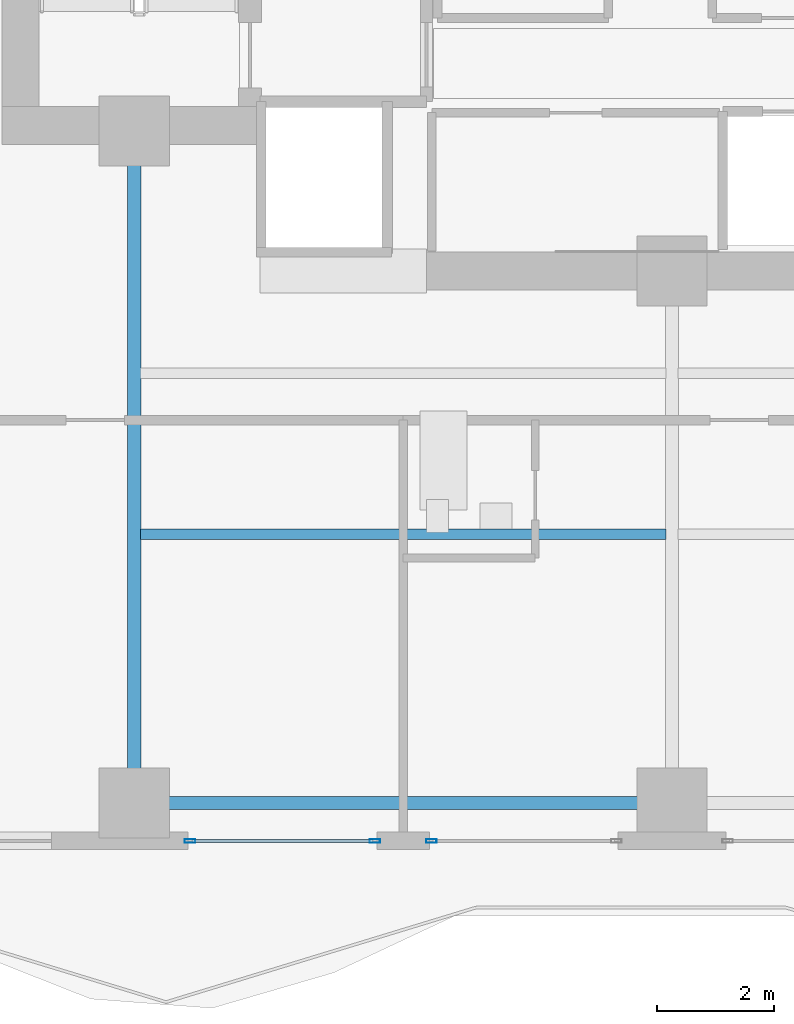
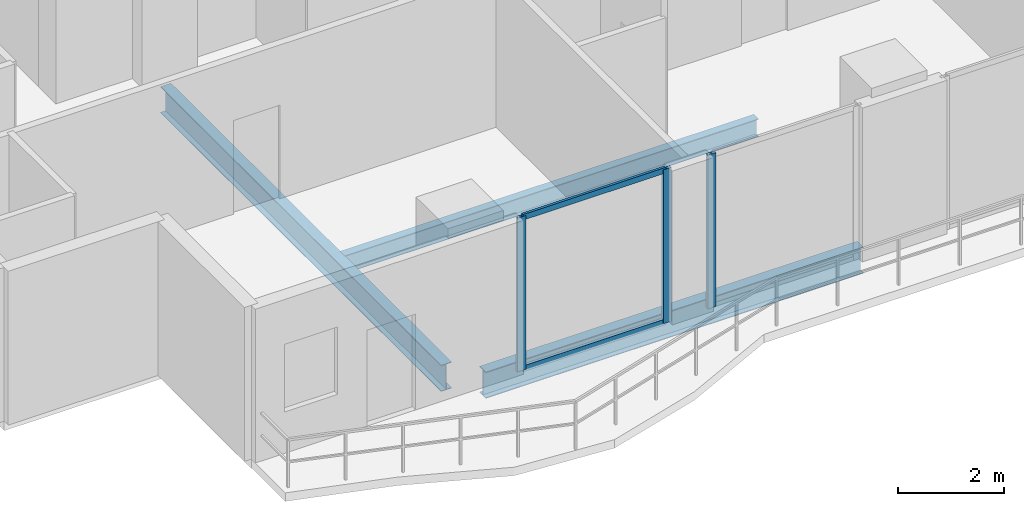
# One storey, part 2 of 32: 5 members, 3 beams, 2 elements without a shape of their own.
"""IFC4 building model written with IfcOpenShell, lengths in metres."""

from ifc_helpers import new_model, si_unit, direction, frame, origin, origin_2d, place, context, subcontext, project, spatial, hollow_rectangle, i_section, extrude, material, layer, layer_set, material_profile, profile_set, type_object, element, aggregate, save


model = new_model("IFC4")

# Units and contexts
model_context = context("Model", 3, precision=1e-05, world=origin(), true_north=direction((0.0, 1.0)))
body_context = subcontext(model_context, "Body", "Model", "MODEL_VIEW")
ifc_project = project(units=[si_unit("LENGTHUNIT", "METRE"), si_unit("AREAUNIT", "SQUARE_METRE"), si_unit("VOLUMEUNIT", "CUBIC_METRE"), si_unit("PLANEANGLEUNIT", "RADIAN"), si_unit("MASSUNIT", "GRAM", prefix="KILO")], contexts=[model_context])

# Site, building, storey
site_placement = place(None, origin())
site = spatial("IfcSite", under=ifc_project, at=site_placement, CompositionType="ELEMENT")
building_placement = place(site_placement, origin())
building = spatial("IfcBuilding", under=site, at=building_placement, Name="Zuhayl Quay Hotel", CompositionType="ELEMENT")
storey_placement = place(building_placement, frame((0.0, 0.0, 226.14990234375)))
storey = spatial("IfcBuildingStorey", under=building, at=storey_placement, Name="L57", CompositionType="ELEMENT", Elevation=226.14990234375)

# Beams
ifc_material_1 = material(Name="Steel ASTM A992 Grade 50", Category="steel")
ifc_material_profile_1 = material_profile(ifc_material_1, i_section(OverallWidth=0.22802734375, OverallDepth=0.60693359375, WebThickness=0.01123046875, FlangeThickness=0.017333984375, at=origin_2d()), Name="W24X76")
ifc_profile_set_1 = profile_set([ifc_material_profile_1], Name="Steel ASTM A992 Grade 50")
beam_type_1 = type_object("IfcBeamType", Name="BM_B3_W24X76", PredefinedType="BEAM", material=ifc_profile_set_1)
beam_1_placement = place(storey_placement, frame((-13.300048828125, -6.949951171875, -0.5234375), z_axis=(1.0, 0.0, 0.0), x_axis=(0.0, 1.0, 0.0)))
element("IfcBeam", 1, at=beam_1_placement, inside=storey, type_object=beam_type_1, Name="L57 Floor Beam RG_L57_01", PredefinedType="BEAM", context=body_context, shape_type="SweptSolid", body=[
    extrude(i_section(OverallWidth=0.22802734375, OverallDepth=0.60693359375, WebThickness=0.01123046875, FlangeThickness=0.017333984375, at=origin_2d()), origin(), (0.0, 0.0, 1.0), 8.199951171875),
])
beam_2_placement = place(storey_placement, frame((-13.800048828125, -6.449951171875, -0.5234375), z_axis=(0.0, 1.0, 0.0), x_axis=(-1.0, 0.0, 0.0)))
element("IfcBeam", 2, at=beam_2_placement, inside=storey, type_object=beam_type_1, Name="L57 Floor Beam FG_S_L57_1", PredefinedType="BEAM", context=body_context, shape_type="SweptSolid", body=[
    extrude(i_section(OverallWidth=0.22802734375, OverallDepth=0.60693359375, WebThickness=0.01123046875, FlangeThickness=0.017333984375, at=origin_2d()), origin(), (0.0, 0.0, 1.0), 10.550048828125),
])
ifc_material_profile_2 = material_profile(ifc_material_1, i_section(OverallWidth=0.177978515625, OverallDepth=0.406005859375, WebThickness=0.0078125, FlangeThickness=0.0126953125, at=origin_2d()), Name="W16X40")
ifc_profile_set_2 = profile_set([ifc_material_profile_2], Name="Steel ASTM A992 Grade 50")
beam_type_2 = type_object("IfcBeamType", Name="BM_J2B_W16X40", PredefinedType="JOIST", material=ifc_profile_set_2)
beam_3_placement = place(storey_placement, frame((-13.694091796875, -2.35009765625, -0.4228515625), z_axis=(1.0, 0.0, 0.0), x_axis=(0.0, 1.0, 0.0)))
element("IfcBeam", 3, at=beam_3_placement, inside=storey, type_object=beam_type_2, Name="L57 Floor Beam FJ_L57_7_1", PredefinedType="JOIST", context=body_context, shape_type="SweptSolid", body=[
    extrude(i_section(OverallWidth=0.177978515625, OverallDepth=0.406005859375, WebThickness=0.0078125, FlangeThickness=0.0126953125, at=origin_2d()), origin(), (0.0, 0.0, 1.0), 8.988037109375),
])

# Curtain wall, member
ifc_material_2 = material(Name="Anodised Aluminium 6063-T6", Category="aluminium")
ifc_layer = layer(ifc_material_2, 0.175048828125, Name="Anodised Aluminium 6063-T6", Category="aluminium")
ifc_layer_set = layer_set([ifc_layer], Name="Anodised Aluminium 6063-T6")
curtain_wall_type = type_object("IfcCurtainWallType", Name="CW_SYS_Z3", PredefinedType="USERDEFINED", material=ifc_layer_set)
curtain_wall_1_placement = place(storey_placement, origin())
curtain_wall_1 = element("IfcCurtainWall", 4, at=curtain_wall_1_placement, inside=storey, type_object=curtain_wall_type, Name="L57 Curtain Wall ENV_L57_S_CW6", ObjectType="UNITISED CURTAIN WALL", PredefinedType="USERDEFINED")
ifc_material_3 = material(Name="Black-anodised aluminium 6063-T6", Category="aluminium")
ifc_material_profile_3 = material_profile(ifc_material_3, hollow_rectangle(XDim=0.06494140625, YDim=0.179931640625, WallThickness=0.00341796875, at=origin_2d()), Name="ALU180X65")
ifc_profile_set_3 = profile_set([ifc_material_profile_3], Name="Black-anodised aluminium 6063-T6")
member_type_1 = type_object("IfcMemberType", Name="MB_CW_MUL_180", PredefinedType="MULLION", material=ifc_profile_set_3)
member_1_placement = place(storey_placement, frame((-8.717529296875, -7.60009765625, 0.0), z_axis=(0.0, 0.0, 1.0), x_axis=(0.0, -1.0, 0.0)))
member_1 = element("IfcMember", 5, at=member_1_placement, type_object=member_type_1, Name="CW-Z3 mullion 2", PredefinedType="MULLION", context=body_context, shape_type="SweptSolid", body=[
    extrude(hollow_rectangle(XDim=0.06494140625, YDim=0.179931640625, WallThickness=0.00341796875, at=origin_2d()), origin(), (0.0, 0.0, 1.0), 3.530029296875),
])
aggregate(curtain_wall_1, [member_1])

# Curtain wall, members
curtain_wall_2_placement = place(storey_placement, origin())
curtain_wall_2 = element("IfcCurtainWall", 6, at=curtain_wall_2_placement, inside=storey, type_object=curtain_wall_type, Name="L57 Curtain Wall ENV_L57_S_CW7", ObjectType="UNITISED CURTAIN WALL", PredefinedType="USERDEFINED")
member_2_placement = place(storey_placement, frame((-9.6826171875, -7.60009765625, 0.0), z_axis=(0.0, 0.0, 1.0), x_axis=(0.0, -1.0, 0.0)))
member_2 = element("IfcMember", 7, at=member_2_placement, type_object=member_type_1, Name="CW-Z3 mullion 1", PredefinedType="MULLION", context=body_context, shape_type="SweptSolid", body=[
    extrude(hollow_rectangle(XDim=0.06494140625, YDim=0.179931640625, WallThickness=0.00341796875, at=origin_2d()), origin(), (0.0, 0.0, 1.0), 3.530029296875),
])
member_3_placement = place(storey_placement, frame((-12.847412109375, -7.60009765625, 0.0), z_axis=(0.0, 0.0, 1.0), x_axis=(0.0, -1.0, 0.0)))
member_3 = element("IfcMember", 8, at=member_3_placement, type_object=member_type_1, Name="CW-Z3 mullion 2", PredefinedType="MULLION", context=body_context, shape_type="SweptSolid", body=[
    extrude(hollow_rectangle(XDim=0.06494140625, YDim=0.179931640625, WallThickness=0.00341796875, at=origin_2d()), origin(), (0.0, 0.0, 1.0), 3.530029296875),
])
ifc_material_profile_4 = material_profile(ifc_material_3, hollow_rectangle(XDim=0.054931640625, YDim=0.1298828125, WallThickness=0.0029296875, at=origin_2d()), Name="ALU130X55")
ifc_profile_set_4 = profile_set([ifc_material_profile_4], Name="Black-anodised aluminium 6063-T6")
member_type_2 = type_object("IfcMemberType", Name="MB_CW_TRN_130", PredefinedType="USERDEFINED", material=ifc_profile_set_4)
member_4_placement = place(storey_placement, frame((-9.715087890625, -7.60009765625, 0.027587890625), z_axis=(-1.0, 0.0, 0.0), x_axis=(0.0, -1.0, 0.0)))
member_4 = element("IfcMember", 9, at=member_4_placement, type_object=member_type_2, Name="CW-Z3 transom 1.1", ObjectType="TRANSOM", PredefinedType="USERDEFINED", context=body_context, shape_type="SweptSolid", body=[
    extrude(hollow_rectangle(XDim=0.054931640625, YDim=0.1298828125, WallThickness=0.0029296875, at=origin_2d()), origin(), (0.0, 0.0, 1.0), 3.099853515625),
])
member_5_placement = place(storey_placement, frame((-9.715087890625, -7.60009765625, 3.502685546875), z_axis=(-1.0, 0.0, 0.0), x_axis=(0.0, -1.0, 0.0)))
member_5 = element("IfcMember", 10, at=member_5_placement, type_object=member_type_2, Name="CW-Z3 transom 1.2", ObjectType="TRANSOM", PredefinedType="USERDEFINED", context=body_context, shape_type="SweptSolid", body=[
    extrude(hollow_rectangle(XDim=0.054931640625, YDim=0.1298828125, WallThickness=0.0029296875, at=origin_2d()), origin(), (0.0, 0.0, 1.0), 3.099853515625),
])
aggregate(curtain_wall_2, [member_2, member_3, member_4, member_5])

save(model, "model.ifc")
